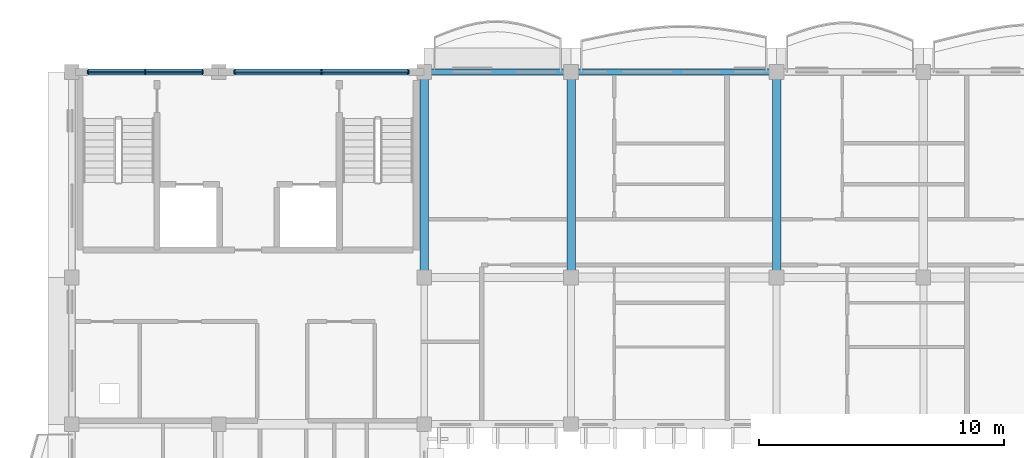
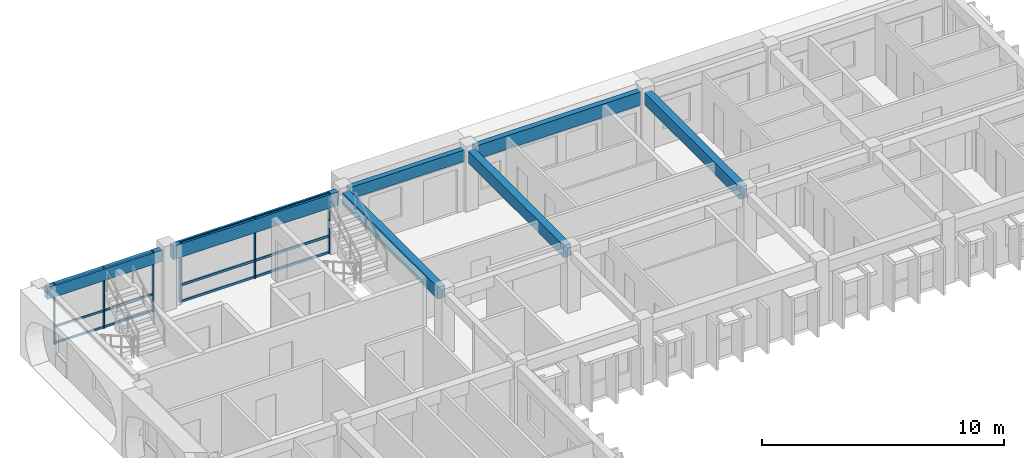
# One storey, part 5 of 59: 12 members, 7 beams, 2 elements without a shape of their own.
"""IFC4 building model written with IfcOpenShell, lengths in metres."""

from ifc_helpers import new_model, si_unit, direction, frame, origin, origin_2d, place, context, subcontext, project, spatial, rectangle, extrude, material, material_profile, profile_set, type_object, element, aggregate, save


model = new_model("IFC4")

# Units and contexts
model_context = context("Model", 3, precision=1e-05, world=origin(), true_north=direction((0.0, 1.0)))
body_context = subcontext(model_context, "Body", "Model", "MODEL_VIEW")
ifc_project = project(units=[si_unit("LENGTHUNIT", "METRE"), si_unit("AREAUNIT", "SQUARE_METRE"), si_unit("VOLUMEUNIT", "CUBIC_METRE"), si_unit("PLANEANGLEUNIT", "RADIAN"), si_unit("MASSUNIT", "GRAM", prefix="KILO"), si_unit("THERMODYNAMICTEMPERATUREUNIT", "KELVIN")], contexts=[model_context])

# Site, building, storey
site_placement = place(None, origin())
site = spatial("IfcSite", under=ifc_project, at=site_placement, CompositionType="ELEMENT")
building_placement = place(site_placement, origin())
building = spatial("IfcBuilding", under=site, at=building_placement, Name="Thalorik Housing Commons", CompositionType="ELEMENT")
storey_placement = place(building_placement, frame((0.0, 0.0, 27.89990234375)))
storey = spatial("IfcBuildingStorey", under=building, at=storey_placement, Name="L08", CompositionType="ELEMENT", Elevation=27.89990234375)

# Curtain wall, members
ifc_material_1 = material(Name="Anodised aluminium and solar-control low-E glass", Category="aluminium")
curtain_wall_type = type_object("IfcCurtainWallType", Name="ARC-CW-CORE", PredefinedType="USERDEFINED", material=ifc_material_1)
curtain_wall_1_placement = place(storey_placement, origin())
curtain_wall_1 = element("IfcCurtainWall", 1, at=curtain_wall_1_placement, inside=storey, type_object=curtain_wall_type, Name="L08 Curtain Wall CW-CORE-L08-A-037", ObjectType="CURTAIN WALL", PredefinedType="USERDEFINED")
ifc_material_2 = material(Name="Anodised aluminium 6063-T6", Category="aluminium")
ifc_material_profile_1 = material_profile(ifc_material_2, rectangle(XDim=0.054931640625, YDim=0.139892578125, at=origin_2d()), Name="ALU MUL 55x140", Category="aluminium")
ifc_profile_set_1 = profile_set([ifc_material_profile_1], Name="Anodised aluminium 6063-T6")
member_type_1 = type_object("IfcMemberType", Name="ARC-CW-MUL-55x140", PredefinedType="MULLION", material=ifc_profile_set_1)
member_1_placement = place(storey_placement, frame((13.75, 123.60009765625, 0.0), z_axis=(0.0, 0.0, 1.0), x_axis=(-1.0, 0.0, 0.0)))
member_1 = element("IfcMember", 2, at=member_1_placement, type_object=member_type_1, Name="CW-CORE-L08-A-037 Mullion 1", PredefinedType="MULLION", context=body_context, shape_type="SweptSolid", body=[
    extrude(rectangle(XDim=0.054931640625, YDim=0.139892578125, at=origin_2d()), origin(), (0.0, 0.0, 1.0), 3.0400390625),
])
member_2_placement = place(storey_placement, frame((11.39990234375, 123.60009765625, 0.0), z_axis=(0.0, 0.0, 1.0), x_axis=(-1.0, 0.0, 0.0)))
member_2 = element("IfcMember", 3, at=member_2_placement, type_object=member_type_1, Name="CW-CORE-L08-A-037 Mullion 2", PredefinedType="MULLION", context=body_context, shape_type="SweptSolid", body=[
    extrude(rectangle(XDim=0.054931640625, YDim=0.139892578125, at=origin_2d()), origin(), (0.0, 0.0, 1.0), 3.0400390625),
])
member_3_placement = place(storey_placement, frame((9.050048828125, 123.60009765625, 0.0), z_axis=(0.0, 0.0, 1.0), x_axis=(-1.0, 0.0, 0.0)))
member_3 = element("IfcMember", 4, at=member_3_placement, type_object=member_type_1, Name="CW-CORE-L08-A-037 Mullion 3", PredefinedType="MULLION", context=body_context, shape_type="SweptSolid", body=[
    extrude(rectangle(XDim=0.054931640625, YDim=0.139892578125, at=origin_2d()), origin(), (0.0, 0.0, 1.0), 3.0400390625),
])

curtain_wall_2_placement = place(storey_placement, origin())
curtain_wall_2 = element("IfcCurtainWall", 5, at=curtain_wall_2_placement, inside=storey, type_object=curtain_wall_type, Name="L08 Curtain Wall CW-CORE-L08-A-036", ObjectType="CURTAIN WALL", PredefinedType="USERDEFINED")
ifc_material_profile_2 = material_profile(ifc_material_2, rectangle(XDim=0.06005859375, YDim=0.159912109375, at=origin_2d()), Name="ALU MUL 60x160", Category="aluminium")
ifc_profile_set_2 = profile_set([ifc_material_profile_2], Name="Anodised aluminium 6063-T6")
member_type_2 = type_object("IfcMemberType", Name="ARC-CW-MUL-60x160", PredefinedType="MULLION", material=ifc_profile_set_2)
member_4_placement = place(storey_placement, frame((22.14990234375, 123.60009765625, 0.0), z_axis=(0.0, 0.0, 1.0), x_axis=(-1.0, 0.0, 0.0)))
member_4 = element("IfcMember", 6, at=member_4_placement, type_object=member_type_2, Name="CW-CORE-L08-A-036 Mullion 1", PredefinedType="MULLION", context=body_context, shape_type="SweptSolid", body=[
    extrude(rectangle(XDim=0.06005859375, YDim=0.159912109375, at=origin_2d()), origin(), (0.0, 0.0, 1.0), 3.0400390625),
])
member_5_placement = place(storey_placement, frame((18.60009765625, 123.60009765625, 0.0), z_axis=(0.0, 0.0, 1.0), x_axis=(-1.0, 0.0, 0.0)))
member_5 = element("IfcMember", 7, at=member_5_placement, type_object=member_type_2, Name="CW-CORE-L08-A-036 Mullion 2", PredefinedType="MULLION", context=body_context, shape_type="SweptSolid", body=[
    extrude(rectangle(XDim=0.06005859375, YDim=0.159912109375, at=origin_2d()), origin(), (0.0, 0.0, 1.0), 3.0400390625),
])
member_6_placement = place(storey_placement, frame((15.050048828125, 123.60009765625, 0.0), z_axis=(0.0, 0.0, 1.0), x_axis=(-1.0, 0.0, 0.0)))
member_6 = element("IfcMember", 8, at=member_6_placement, type_object=member_type_2, Name="CW-CORE-L08-A-036 Mullion 3", PredefinedType="MULLION", context=body_context, shape_type="SweptSolid", body=[
    extrude(rectangle(XDim=0.06005859375, YDim=0.159912109375, at=origin_2d()), origin(), (0.0, 0.0, 1.0), 3.0400390625),
])

# Member
ifc_material_profile_3 = material_profile(ifc_material_2, rectangle(XDim=0.054931640625, YDim=0.10498046875, at=origin_2d()), Name="ALU TRN 55x105", Category="aluminium")
ifc_profile_set_3 = profile_set([ifc_material_profile_3], Name="Anodised aluminium 6063-T6")
member_type_3 = type_object("IfcMemberType", Name="ARC-CW-TRN-55x105", PredefinedType="USERDEFINED", material=ifc_profile_set_3)
member_7_placement = place(storey_placement, frame((13.75, 123.60009765625, 0.05517578125), z_axis=(-1.0, 0.0, 0.0), x_axis=(0.0, -1.0, 0.0)))
member_7 = element("IfcMember", 9, at=member_7_placement, type_object=member_type_3, Name="CW-CORE-L08-A-037 Transom 1", ObjectType="TRANSOM", PredefinedType="USERDEFINED", context=body_context, shape_type="SweptSolid", body=[
    extrude(rectangle(XDim=0.054931640625, YDim=0.10498046875, at=origin_2d()), origin(), (0.0, 0.0, 1.0), 4.699951171875),
])

member_8_placement = place(storey_placement, frame((13.75, 123.60009765625, 0.880126953125), z_axis=(-1.0, 0.0, 0.0), x_axis=(0.0, -1.0, 0.0)))
member_8 = element("IfcMember", 10, at=member_8_placement, type_object=member_type_3, Name="CW-CORE-L08-A-037 Transom 2", ObjectType="TRANSOM", PredefinedType="USERDEFINED", context=body_context, shape_type="SweptSolid", body=[
    extrude(rectangle(XDim=0.054931640625, YDim=0.10498046875, at=origin_2d()), origin(), (0.0, 0.0, 1.0), 4.699951171875),
])

member_9_placement = place(storey_placement, frame((13.75, 123.60009765625, 2.985107421875), z_axis=(-1.0, 0.0, 0.0), x_axis=(0.0, -1.0, 0.0)))
member_9 = element("IfcMember", 11, at=member_9_placement, type_object=member_type_3, Name="CW-CORE-L08-A-037 Transom 3", ObjectType="TRANSOM", PredefinedType="USERDEFINED", context=body_context, shape_type="SweptSolid", body=[
    extrude(rectangle(XDim=0.054931640625, YDim=0.10498046875, at=origin_2d()), origin(), (0.0, 0.0, 1.0), 4.699951171875),
])

aggregate(curtain_wall_1, [member_1, member_2, member_3, member_7, member_8, member_9])

ifc_material_profile_4 = material_profile(ifc_material_2, rectangle(XDim=0.06005859375, YDim=0.1201171875, at=origin_2d()), Name="ALU TRN 60x120", Category="aluminium")
ifc_profile_set_4 = profile_set([ifc_material_profile_4], Name="Anodised aluminium 6063-T6")
member_type_4 = type_object("IfcMemberType", Name="ARC-CW-TRN-60x120", PredefinedType="USERDEFINED", material=ifc_profile_set_4)
member_10_placement = place(storey_placement, frame((22.14990234375, 123.60009765625, 0.05517578125), z_axis=(-1.0, 0.0, 0.0), x_axis=(0.0, -1.0, 0.0)))
member_10 = element("IfcMember", 12, at=member_10_placement, type_object=member_type_4, Name="CW-CORE-L08-A-036 Transom 1", ObjectType="TRANSOM", PredefinedType="USERDEFINED", context=body_context, shape_type="SweptSolid", body=[
    extrude(rectangle(XDim=0.06005859375, YDim=0.1201171875, at=origin_2d()), origin(), (0.0, 0.0, 1.0), 7.099853515625),
])

member_11_placement = place(storey_placement, frame((22.14990234375, 123.60009765625, 0.880126953125), z_axis=(-1.0, 0.0, 0.0), x_axis=(0.0, -1.0, 0.0)))
member_11 = element("IfcMember", 13, at=member_11_placement, type_object=member_type_4, Name="CW-CORE-L08-A-036 Transom 2", ObjectType="TRANSOM", PredefinedType="USERDEFINED", context=body_context, shape_type="SweptSolid", body=[
    extrude(rectangle(XDim=0.06005859375, YDim=0.1201171875, at=origin_2d()), origin(), (0.0, 0.0, 1.0), 7.099853515625),
])

member_12_placement = place(storey_placement, frame((22.14990234375, 123.60009765625, 2.985107421875), z_axis=(-1.0, 0.0, 0.0), x_axis=(0.0, -1.0, 0.0)))
member_12 = element("IfcMember", 14, at=member_12_placement, type_object=member_type_4, Name="CW-CORE-L08-A-036 Transom 3", ObjectType="TRANSOM", PredefinedType="USERDEFINED", context=body_context, shape_type="SweptSolid", body=[
    extrude(rectangle(XDim=0.06005859375, YDim=0.1201171875, at=origin_2d()), origin(), (0.0, 0.0, 1.0), 7.099853515625),
])

aggregate(curtain_wall_2, [member_4, member_5, member_6, member_10, member_11, member_12])

# Beams
ifc_material_3 = material(Name="Precast concrete C40/50", Category="concrete")
ifc_material_profile_5 = material_profile(ifc_material_3, rectangle(XDim=0.35009765625, YDim=0.60009765625, at=origin_2d()), Name="PC 350x600", Category="concrete")
ifc_profile_set_5 = profile_set([ifc_material_profile_5], Name="Precast concrete C40/50")
beam_type_1 = type_object("IfcBeamType", Name="STR-BM-PC350x600", PredefinedType="BEAM", material=ifc_profile_set_5)
for number, where, z_axis, x_axis, name in (
    (15, (22.800048828125, 115.449951171875, 2.739990234375), (0.0, 1.0, 0.0), (-1.0, 0.0, 0.0), "L08 Beam B-600"),
    (16, (28.800048828125, 115.449951171875, 2.739990234375), (0.0, 1.0, 0.0), (-1.0, 0.0, 0.0), "L08 Beam B-600"),
    (17, (37.199951171875, 115.449951171875, 2.739990234375), (0.0, 1.0, 0.0), (-1.0, 0.0, 0.0), "L08 Beam B-600"),
):
    element("IfcBeam", number, at=place(storey_placement, frame(where, z_axis=z_axis, x_axis=x_axis)), inside=storey, type_object=beam_type_1, Name=name, PredefinedType="BEAM", context=body_context, shape_type="SweptSolid", body=[
        extrude(rectangle(XDim=0.35009765625, YDim=0.60009765625, at=origin_2d()), origin(), (0.0, 0.0, 1.0), 7.900146484375),
    ])
ifc_material_profile_6 = material_profile(ifc_material_3, rectangle(XDim=0.239990234375, YDim=0.580078125, at=origin_2d()), Name="PC SP 240x580", Category="concrete")
ifc_profile_set_6 = profile_set([ifc_material_profile_6], Name="Precast concrete C40/50")
beam_type_2 = type_object("IfcBeamType", Name="STR-SP-PC240x580", PredefinedType="SPANDREL", material=ifc_profile_set_6)
for number, where, z_axis, x_axis, name in (
    (18, (8.64990234375, 123.60009765625, 2.75), (1.0, 0.0, 0.0), (0.0, 1.0, 0.0), "L08 Beam B-550"),
    (19, (23.050048828125, 123.60009765625, 2.75), (1.0, 0.0, 0.0), (0.0, 1.0, 0.0), "L08 Beam B-550"),
):
    element("IfcBeam", number, at=place(storey_placement, frame(where, z_axis=z_axis, x_axis=x_axis)), inside=storey, type_object=beam_type_2, Name=name, PredefinedType="SPANDREL", context=body_context, shape_type="SweptSolid", body=[
        extrude(rectangle(XDim=0.239990234375, YDim=0.580078125, at=origin_2d()), origin(), (0.0, 0.0, 1.0), 5.5),
    ])
ifc_material_profile_7 = material_profile(ifc_material_3, rectangle(XDim=0.260009765625, YDim=0.679931640625, at=origin_2d()), Name="PC SP 260x680", Category="concrete")
ifc_profile_set_7 = profile_set([ifc_material_profile_7], Name="Precast concrete C40/50")
beam_type_3 = type_object("IfcBeamType", Name="STR-SP-PC260x680", PredefinedType="SPANDREL", material=ifc_profile_set_7)
beam_1_placement = place(storey_placement, frame((14.64990234375, 123.60009765625, 2.7001953125), z_axis=(1.0, 0.0, 0.0), x_axis=(0.0, 1.0, 0.0)))
element("IfcBeam", 20, at=beam_1_placement, inside=storey, type_object=beam_type_3, Name="L08 Beam B-650", PredefinedType="SPANDREL", context=body_context, shape_type="SweptSolid", body=[
    extrude(rectangle(XDim=0.260009765625, YDim=0.679931640625, at=origin_2d()), origin(), (0.0, 0.0, 1.0), 7.900146484375),
])
beam_2_placement = place(storey_placement, frame((29.050048828125, 123.60009765625, 2.7001953125), z_axis=(1.0, 0.0, 0.0), x_axis=(0.0, 1.0, 0.0)))
element("IfcBeam", 21, at=beam_2_placement, inside=storey, type_object=beam_type_3, Name="L08 Beam B-650", PredefinedType="SPANDREL", context=body_context, shape_type="SweptSolid", body=[
    extrude(rectangle(XDim=0.260009765625, YDim=0.679931640625, at=origin_2d()), origin(), (0.0, 0.0, 1.0), 7.89990234375),
])

save(model, "model.ifc")
